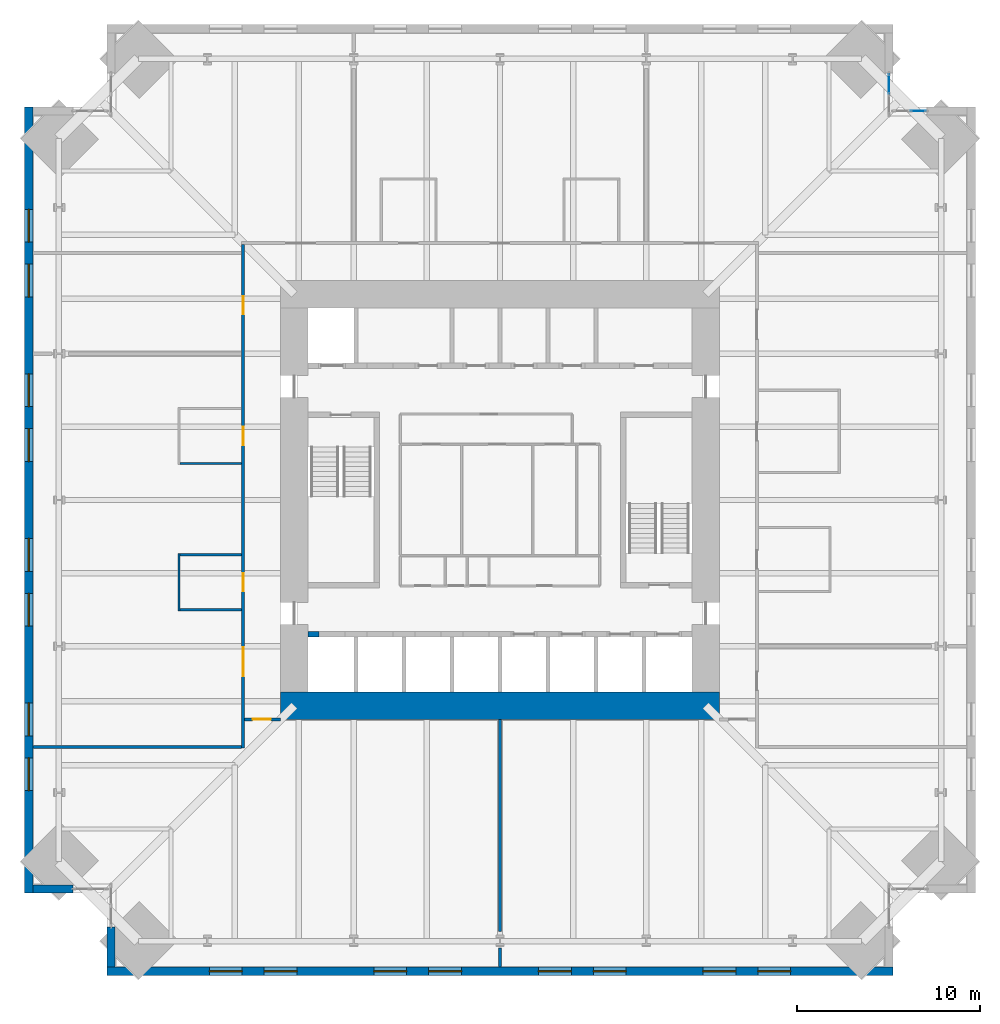
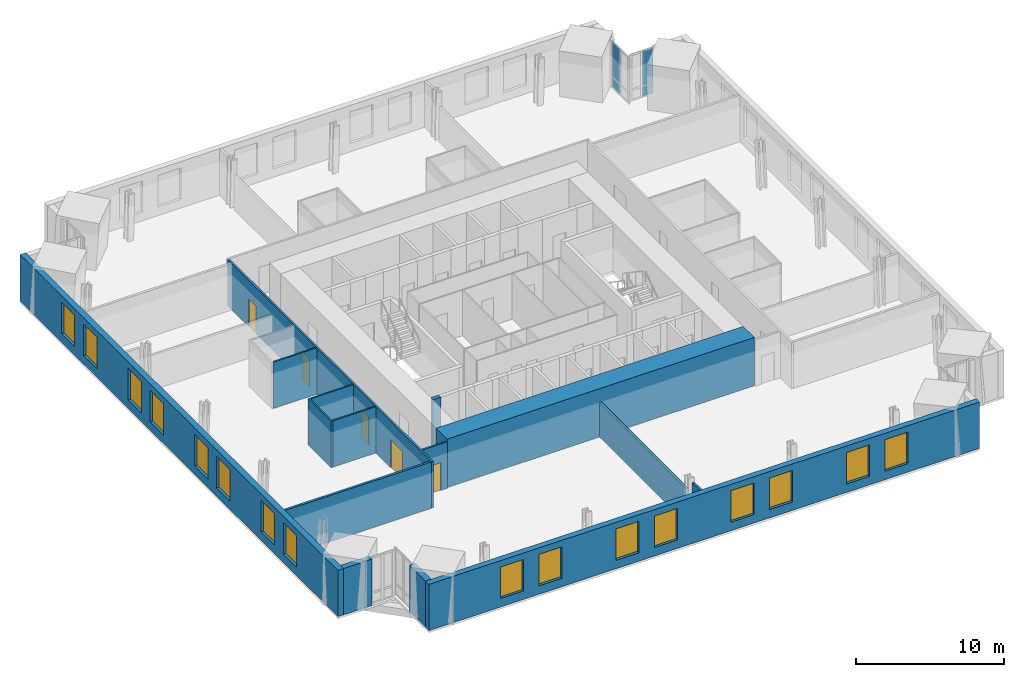
# One storey, part 13 of 18: 16 windows, 15 walls, 5 doors, 4 plates, 21 openings, 2 elements without a shape of their own.
"""IFC4 building model written with IfcOpenShell, lengths in metres."""

import ifcopenshell
import ifcopenshell.guid

model = None  # the IFC model being written
_history = None  # IfcOwnerHistory: only IFC2X3 demands one
_inside = {}  # id of a spatial element -> (the spatial element, [elements in it])
_under = {}  # id of a project, library or spatial element -> (it, [spatial elements below it])
_declared = {}  # id of a project -> (the project, [libraries it declares])
_typed = {}  # id of a type object -> (the type object, [elements of that type])
_made_of = {}  # id of a material, layer set ... -> (it, [elements and type objects made of it])


def new_model(schema):
    """Start an empty IFC model of exactly this schema.

    Asked for "IFC4X3", IfcOpenShell would pick the latest addendum, in which some entities
    have other attributes; the version numbers below select the first issue.
    IFC2X3 requires an IfcOwnerHistory on every rooted entity: one is made here for all.
    """
    global model, _history
    if schema == "IFC4X3":
        model = ifcopenshell.file(schema_version=(4, 3, 0, 0))
    else:
        model = ifcopenshell.file(schema=schema)
    _inside.clear()
    _under.clear()
    _declared.clear()
    _typed.clear()
    _made_of.clear()
    _history = None
    if model.schema == "IFC2X3":
        org = make("IfcOrganization", Name="unknown")
        user = make(
            "IfcPersonAndOrganization",
            ThePerson=make("IfcPerson", FamilyName="unknown"),
            TheOrganization=org,
        )
        app = make(
            "IfcApplication",
            ApplicationDeveloper=org,
            Version="unknown",
            ApplicationFullName="unknown",
            ApplicationIdentifier="unknown",
        )
        _history = make(
            "IfcOwnerHistory",
            OwningUser=user,
            OwningApplication=app,
            ChangeAction="ADDED",
            CreationDate=0,
        )
    return model


def make(cls, **values):
    """One entity of the class cls with the attributes given. An attribute that is None is left unset."""
    return model.create_entity(
        cls, **{name: value for name, value in values.items() if value is not None}
    )


def rooted(cls, **values):
    """An entity with a GlobalId (a new one), such as an element, a storey or a relation."""
    return make(cls, GlobalId=ifcopenshell.guid.new(), OwnerHistory=_history, **values)


def si_unit(unit_type, name, prefix=None):
    """IfcSIUnit, for example si_unit("LENGTHUNIT", "METRE", prefix="MILLI")."""
    return make("IfcSIUnit", UnitType=unit_type, Prefix=prefix, Name=name)


def assignment(units):
    """IfcUnitAssignment: the units of a project."""
    return None if units is None else make("IfcUnitAssignment", Units=units)


def point(xyz):
    """IfcCartesianPoint."""
    return None if xyz is None else make("IfcCartesianPoint", Coordinates=xyz)


def direction(xyz):
    """IfcDirection."""
    return None if xyz is None else make("IfcDirection", DirectionRatios=xyz)


def frame(location, z_axis=None, x_axis=None):
    """IfcAxis2Placement3D, a coordinate frame: its origin and axes. An axis left out is left unset."""
    return make(
        "IfcAxis2Placement3D",
        Location=point(location),
        Axis=direction(z_axis),
        RefDirection=direction(x_axis),
    )


def frame_2d(location, x_axis=None):
    """IfcAxis2Placement2D, a coordinate frame in the plane: its origin and x axis."""
    return make(
        "IfcAxis2Placement2D", Location=point(location), RefDirection=direction(x_axis)
    )


def origin():
    """The frame at (0, 0, 0) with its axes left unset."""
    return frame((0.0, 0.0, 0.0))


def origin_2d():
    """The frame at (0, 0) in the plane with its x axis left unset."""
    return frame_2d((0.0, 0.0))


def place(relative_to, where):
    """IfcLocalPlacement: puts the frame where relative to a parent placement (None: the world)."""
    return make(
        "IfcLocalPlacement", PlacementRelTo=relative_to, RelativePlacement=where
    )


def context(
    kind, dimensions, precision=None, world=None, true_north=None, identifier=None
):
    """IfcGeometricRepresentationContext, for example the 3D "Model" context."""
    return make(
        "IfcGeometricRepresentationContext",
        ContextIdentifier=identifier,
        ContextType=kind,
        CoordinateSpaceDimension=dimensions,
        Precision=precision,
        WorldCoordinateSystem=world,
        TrueNorth=true_north,
    )


def subcontext(parent, identifier, kind, view, scale=None):
    """IfcGeometricRepresentationSubContext, for example "Body" below "Model"."""
    return make(
        "IfcGeometricRepresentationSubContext",
        ContextIdentifier=identifier,
        ContextType=kind,
        ParentContext=parent,
        TargetScale=scale,
        TargetView=view,
    )


def project(units=None, contexts=None):
    """IfcProject with its units and contexts."""
    return rooted(
        "IfcProject",
        Name="project",
        RepresentationContexts=contexts,
        UnitsInContext=assignment(units),
    )


def spatial(cls, under=None, at=None, **own):
    """A site, building, storey or space (cls), placed at a placement, below another one or the project."""
    s = rooted(cls, ObjectPlacement=at, **own)
    if under is not None:
        _under.setdefault(under.id(), (under, []))[1].append(s)
    return s


def profile(cls, at=None, kind="AREA", **sizes):
    """A parametric profile (cls). Its sizes go by their IFC names, for example OverallWidth=200.0."""
    return make(cls, ProfileType=kind, Position=at, **sizes)


def rectangle(**sizes):
    """IfcRectangleProfileDef."""
    return profile("IfcRectangleProfileDef", **sizes)


def extrude(swept, where, along, depth):
    """IfcExtrudedAreaSolid: the profile swept, set in the frame where, extruded along a direction by depth."""
    return make(
        "IfcExtrudedAreaSolid",
        SweptArea=swept,
        Position=where,
        ExtrudedDirection=direction(along),
        Depth=depth,
    )


def shape(context_of_items, identifier, shape_type, items):
    """IfcShapeRepresentation: the items that make up one representation, for example the "Body"."""
    return make(
        "IfcShapeRepresentation",
        ContextOfItems=context_of_items,
        RepresentationIdentifier=identifier,
        RepresentationType=shape_type,
        Items=items,
    )


def material(Name=None, Category=None):
    """IfcMaterial."""
    return make("IfcMaterial", Name=Name, Category=Category)


def layer(
    of_material, thickness, ventilated=None, Name=None, Category=None, Priority=None
):
    """IfcMaterialLayer: one layer of a wall or slab, of a material (None: an air gap)."""
    return make(
        "IfcMaterialLayer",
        Material=of_material,
        LayerThickness=thickness,
        IsVentilated=ventilated,
        Name=Name,
        Category=Category,
        Priority=Priority,
    )


def layer_set(layers, Name=None):
    """IfcMaterialLayerSet."""
    return make("IfcMaterialLayerSet", MaterialLayers=layers, LayerSetName=Name)


def made_of(thing, what):
    """Note that an element or type object is made of a material, layer set ...; save() writes the relation."""
    if what is not None:
        _made_of.setdefault(what.id(), (what, []))[1].append(thing)
    return thing


def type_object(cls, material=None, **own):
    """A type object (cls), such as IfcWallType, which elements share."""
    return made_of(rooted(cls, **own), material)


def element(
    cls,
    number,
    at=None,
    inside=None,
    cuts=None,
    type_object=None,
    material=None,
    context=None,
    identifier="Body",
    shape_type=None,
    held_by="IfcProductDefinitionShape",
    body=None,
    shapes=None,
    **own,
):
    """One element of the class cls, such as IfcWall. Its Tag is "e" and its number.

    at: its placement. inside: the storey or other place that contains it. cuts: it is an
    opening in that element (IfcRelVoidsElement). A single representation is given by context,
    identifier, shape_type and body (its items); several are given by shapes. held_by: the class
    of the entity that holds the representations. save() writes the other relations.
    """
    e = rooted(cls, Tag="e%d" % number, ObjectPlacement=at, **own)
    if body is not None:
        shapes = [shape(context, identifier, shape_type, body)]
    if shapes is not None:
        e.Representation = make(held_by, Representations=shapes)
    if inside is not None:
        _inside.setdefault(inside.id(), (inside, []))[1].append(e)
    if cuts is not None:
        rooted(
            "IfcRelVoidsElement", RelatingBuildingElement=cuts, RelatedOpeningElement=e
        )
    if type_object is not None:
        _typed.setdefault(type_object.id(), (type_object, []))[1].append(e)
    return made_of(e, material)


def fill(opening, filler):
    """IfcRelFillsElement: the door or window that sits in an opening."""
    return rooted(
        "IfcRelFillsElement",
        RelatingOpeningElement=opening,
        RelatedBuildingElement=filler,
    )


def aggregate(whole, parts):
    """IfcRelAggregates: a whole, such as a stair, and the parts it consists of."""
    return rooted("IfcRelAggregates", RelatingObject=whole, RelatedObjects=parts)


def save(model, path):
    """Write the relations noted so far, then the file.

    IfcRelAggregates (storeys below a building ...), IfcRelContainedInSpatialStructure (elements
    in a storey), IfcRelDefinesByType, IfcRelAssociatesMaterial and IfcRelDeclares: one each for
    every whole, place, type object, material and project.
    """
    for whole, parts in _under.values():
        aggregate(whole, parts)
    for where, things in _inside.values():
        rooted(
            "IfcRelContainedInSpatialStructure",
            RelatedElements=things,
            RelatingStructure=where,
        )
    for kind, things in _typed.values():
        rooted("IfcRelDefinesByType", RelatedObjects=things, RelatingType=kind)
    for what, things in _made_of.values():
        rooted("IfcRelAssociatesMaterial", RelatedObjects=things, RelatingMaterial=what)
    for by, libraries in _declared.values():
        rooted("IfcRelDeclares", RelatingContext=by, RelatedDefinitions=libraries)
    model.write(path)


model = new_model("IFC4")

# Units and contexts
model_context = context("Model", 3, precision=1e-05, world=origin(), true_north=direction((0.0, 1.0)))
body_context = subcontext(model_context, "Body", "Model", "MODEL_VIEW")
ifc_project = project(units=[si_unit("LENGTHUNIT", "METRE"), si_unit("AREAUNIT", "SQUARE_METRE"), si_unit("VOLUMEUNIT", "CUBIC_METRE"), si_unit("PLANEANGLEUNIT", "RADIAN"), si_unit("MASSUNIT", "GRAM", prefix="KILO")], contexts=[model_context])

# Site, building, storey
site_placement = place(None, origin())
site = spatial("IfcSite", under=ifc_project, at=site_placement, CompositionType="ELEMENT")
building_placement = place(site_placement, origin())
building = spatial("IfcBuilding", under=site, at=building_placement, Name="Peilmerk Tower", CompositionType="ELEMENT")
storey_placement = place(building_placement, frame((0.0, 0.0, 167.800048828125)))
storey = spatial("IfcBuildingStorey", under=building, at=storey_placement, Name="L35", CompositionType="ELEMENT", Elevation=167.800048828125)

# Curtain wall, plates
ifc_material_1 = material(Name="Aluminium stick curtain wall", Category="aluminium")
curtain_wall_type = type_object("IfcCurtainWallType", Name="CW3 stick curtain wall, 2250 module", PredefinedType="NOTDEFINED", material=ifc_material_1)
curtain_wall_1_placement = place(storey_placement, origin())
curtain_wall_1 = element("IfcCurtainWall", 1, at=curtain_wall_1_placement, inside=storey, type_object=curtain_wall_type, Name="Curtain wall CW3 NEA L35", PredefinedType="NOTDEFINED")
ifc_material_2 = material(Name="Clear insulated glazing unit", Category="glass")
ifc_layer_1 = layer(ifc_material_2, 0.028076171875)
ifc_layer_set_1 = layer_set([ifc_layer_1], Name="Clear insulated glazing unit")
plate_type = type_object("IfcPlateType", Name="CW3-P 28 glazed panel", PredefinedType="CURTAIN_PANEL", material=ifc_layer_set_1)
plate_1_placement = place(storey_placement, frame((21.27490234375, 22.750244140625, 0.06494140625), z_axis=(0.0, 0.0, 1.0), x_axis=(0.0, 1.0, 0.0)))
plate_1 = element("IfcPlate", 2, at=plate_1_placement, type_object=plate_type, Name="CW3 panel 2.1", PredefinedType="CURTAIN_PANEL", context=body_context, shape_type="SweptSolid", body=[
    extrude(rectangle(XDim=1.046875, YDim=0.028076171875, at=origin_2d()), origin(), (0.0, 0.0, 1.0), 0.802490234375),
])
plate_2_placement = place(storey_placement, frame((21.27490234375, 22.750244140625, 0.932373046875), z_axis=(0.0, 0.0, 1.0), x_axis=(0.0, 1.0, 0.0)))
plate_2 = element("IfcPlate", 3, at=plate_2_placement, type_object=plate_type, Name="CW3 panel 2.2", PredefinedType="CURTAIN_PANEL", context=body_context, shape_type="SweptSolid", body=[
    extrude(rectangle(XDim=1.046875, YDim=0.028076171875, at=origin_2d()), origin(), (0.0, 0.0, 1.0), 2.83251953125),
])
aggregate(curtain_wall_1, [plate_1, plate_2])

curtain_wall_2_placement = place(storey_placement, origin())
curtain_wall_2 = element("IfcCurtainWall", 4, at=curtain_wall_2_placement, inside=storey, type_object=curtain_wall_type, Name="Curtain wall CW3 NEB L35", PredefinedType="NOTDEFINED")
plate_3_placement = place(storey_placement, frame((22.86279296875, 21.27490234375, 0.06494140625), z_axis=(0.0, 0.0, 1.0), x_axis=(1.0, 0.0, 0.0)))
plate_3 = element("IfcPlate", 5, at=plate_3_placement, type_object=plate_type, Name="CW3 panel 2.1", PredefinedType="CURTAIN_PANEL", context=body_context, shape_type="SweptSolid", body=[
    extrude(rectangle(XDim=0.82177734375, YDim=0.028076171875, at=origin_2d()), origin(), (0.0, 0.0, 1.0), 0.802490234375),
])
plate_4_placement = place(storey_placement, frame((22.86279296875, 21.27490234375, 0.932373046875), z_axis=(0.0, 0.0, 1.0), x_axis=(1.0, 0.0, 0.0)))
plate_4 = element("IfcPlate", 6, at=plate_4_placement, type_object=plate_type, Name="CW3 panel 2.2", PredefinedType="CURTAIN_PANEL", context=body_context, shape_type="SweptSolid", body=[
    extrude(rectangle(XDim=0.82177734375, YDim=0.028076171875, at=origin_2d()), origin(), (0.0, 0.0, 1.0), 2.83251953125),
])
aggregate(curtain_wall_2, [plate_3, plate_4])

# Wall, openings, windows
ifc_material_3 = material(Name="Precast concrete C45/55, board-marked finish", Category="concrete")
ifc_layer_2 = layer(ifc_material_3, 0.449951171875)
ifc_layer_set_2 = layer_set([ifc_layer_2], Name="Precast concrete C45/55, board-marked finish")
wall_type_1 = type_object("IfcWallType", Name="EW1 450 precast concrete facade wall, board-marked", PredefinedType="SOLIDWALL", material=ifc_layer_set_2)
wall_1_placement = place(storey_placement, frame((-21.5, -25.77490234375, 0.0), z_axis=(0.0, 0.0, 1.0), x_axis=(1.0, 0.0, 0.0)))
wall_1 = element("IfcWall", 7, at=wall_1_placement, inside=storey, type_object=wall_type_1, Name="Facade wall S L35", PredefinedType="SOLIDWALL", context=body_context, shape_type="SweptSolid", body=[
    extrude(rectangle(XDim=43.0, YDim=0.449951171875, at=frame_2d((21.5, 0.0))), origin(), (0.0, 0.0, 1.0), 3.829833984375),
])
opening_1_placement = place(wall_1_placement, frame((5.60009765625, 0.0, 0.699951171875)))
opening_1 = element("IfcOpeningElement", 8, at=opening_1_placement, cuts=wall_1, Name="Opening W1", PredefinedType="OPENING", context=body_context, shape_type="SweptSolid", body=[
    extrude(rectangle(XDim=1.800048828125, YDim=2.60009765625, at=frame_2d((0.89990234375, 1.300048828125))), frame((0.0, 0.23486328125, 0.0), z_axis=(0.0, -1.0, 0.0), x_axis=(1.0, 0.0, 0.0)), (0.0, 0.0, 1.0), 0.469970703125),
])
opening_2_placement = place(wall_1_placement, frame((8.60009765625, 0.0, 0.699951171875)))
opening_2 = element("IfcOpeningElement", 9, at=opening_2_placement, cuts=wall_1, Name="Opening W1", PredefinedType="OPENING", context=body_context, shape_type="SweptSolid", body=[
    extrude(rectangle(XDim=1.800048828125, YDim=2.60009765625, at=frame_2d((0.89990234375, 1.300048828125))), frame((0.0, 0.23486328125, 0.0), z_axis=(0.0, -1.0, 0.0), x_axis=(1.0, 0.0, 0.0)), (0.0, 0.0, 1.0), 0.469970703125),
])
opening_3_placement = place(wall_1_placement, frame((14.60009765625, 0.0, 0.699951171875)))
opening_3 = element("IfcOpeningElement", 10, at=opening_3_placement, cuts=wall_1, Name="Opening W1", PredefinedType="OPENING", context=body_context, shape_type="SweptSolid", body=[
    extrude(rectangle(XDim=1.800048828125, YDim=2.60009765625, at=frame_2d((0.89990234375, 1.300048828125))), frame((0.0, 0.23486328125, 0.0), z_axis=(0.0, -1.0, 0.0), x_axis=(1.0, 0.0, 0.0)), (0.0, 0.0, 1.0), 0.469970703125),
])
opening_4_placement = place(wall_1_placement, frame((17.60009765625, 0.0, 0.699951171875)))
opening_4 = element("IfcOpeningElement", 11, at=opening_4_placement, cuts=wall_1, Name="Opening W1", PredefinedType="OPENING", context=body_context, shape_type="SweptSolid", body=[
    extrude(rectangle(XDim=1.800048828125, YDim=2.60009765625, at=frame_2d((0.89990234375, 1.300048828125))), frame((0.0, 0.23486328125, 0.0), z_axis=(0.0, -1.0, 0.0), x_axis=(1.0, 0.0, 0.0)), (0.0, 0.0, 1.0), 0.469970703125),
])
opening_5_placement = place(wall_1_placement, frame((23.60009765625, 0.0, 0.699951171875)))
opening_5 = element("IfcOpeningElement", 12, at=opening_5_placement, cuts=wall_1, Name="Opening W1", PredefinedType="OPENING", context=body_context, shape_type="SweptSolid", body=[
    extrude(rectangle(XDim=1.800048828125, YDim=2.60009765625, at=frame_2d((0.89990234375, 1.300048828125))), frame((0.0, 0.23486328125, 0.0), z_axis=(0.0, -1.0, 0.0), x_axis=(1.0, 0.0, 0.0)), (0.0, 0.0, 1.0), 0.469970703125),
])
opening_6_placement = place(wall_1_placement, frame((26.60009765625, 0.0, 0.699951171875)))
opening_6 = element("IfcOpeningElement", 13, at=opening_6_placement, cuts=wall_1, Name="Opening W1", PredefinedType="OPENING", context=body_context, shape_type="SweptSolid", body=[
    extrude(rectangle(XDim=1.800048828125, YDim=2.60009765625, at=frame_2d((0.89990234375, 1.300048828125))), frame((0.0, 0.23486328125, 0.0), z_axis=(0.0, -1.0, 0.0), x_axis=(1.0, 0.0, 0.0)), (0.0, 0.0, 1.0), 0.469970703125),
])
opening_7_placement = place(wall_1_placement, frame((32.60009765625, 0.0, 0.699951171875)))
opening_7 = element("IfcOpeningElement", 14, at=opening_7_placement, cuts=wall_1, Name="Opening W1", PredefinedType="OPENING", context=body_context, shape_type="SweptSolid", body=[
    extrude(rectangle(XDim=1.800048828125, YDim=2.60009765625, at=frame_2d((0.89990234375, 1.300048828125))), frame((0.0, 0.23486328125, 0.0), z_axis=(0.0, -1.0, 0.0), x_axis=(1.0, 0.0, 0.0)), (0.0, 0.0, 1.0), 0.469970703125),
])
opening_8_placement = place(wall_1_placement, frame((35.60009765625, 0.0, 0.699951171875)))
opening_8 = element("IfcOpeningElement", 15, at=opening_8_placement, cuts=wall_1, Name="Opening W1", PredefinedType="OPENING", context=body_context, shape_type="SweptSolid", body=[
    extrude(rectangle(XDim=1.800048828125, YDim=2.60009765625, at=frame_2d((0.89990234375, 1.300048828125))), frame((0.0, 0.23486328125, 0.0), z_axis=(0.0, -1.0, 0.0), x_axis=(1.0, 0.0, 0.0)), (0.0, 0.0, 1.0), 0.469970703125),
])
ifc_material_4 = material(Name="Aluminium frame, clear double glazing", Category="aluminium")
window_type = type_object("IfcWindowType", Name="W1 1800x2600 office window", PartitioningType="SINGLE_PANEL", PredefinedType="WINDOW", material=ifc_material_4)
window_1_placement = place(opening_1_placement, origin())
window_1 = element("IfcWindow", 16, at=window_1_placement, inside=storey, type_object=window_type, Name="Window W1 L35", OverallHeight=2.60009765625, OverallWidth=1.800048828125, PartitioningType="SINGLE_PANEL", PredefinedType="WINDOW", context=body_context, shape_type="SweptSolid", body=[
    extrude(rectangle(XDim=1.800048828125, YDim=2.60009765625, at=frame_2d((0.89990234375, 1.300048828125))), frame((0.0, 0.030029296875, 0.0), z_axis=(0.0, -1.0, 0.0), x_axis=(1.0, 0.0, 0.0)), (0.0, 0.0, 1.0), 0.06005859375),
])
fill(opening_1, window_1)
window_2_placement = place(opening_2_placement, origin())
window_2 = element("IfcWindow", 17, at=window_2_placement, inside=storey, type_object=window_type, Name="Window W1 L35", OverallHeight=2.60009765625, OverallWidth=1.800048828125, PartitioningType="SINGLE_PANEL", PredefinedType="WINDOW", context=body_context, shape_type="SweptSolid", body=[
    extrude(rectangle(XDim=1.800048828125, YDim=2.60009765625, at=frame_2d((0.89990234375, 1.300048828125))), frame((0.0, 0.030029296875, 0.0), z_axis=(0.0, -1.0, 0.0), x_axis=(1.0, 0.0, 0.0)), (0.0, 0.0, 1.0), 0.06005859375),
])
fill(opening_2, window_2)
window_3_placement = place(opening_3_placement, origin())
window_3 = element("IfcWindow", 18, at=window_3_placement, inside=storey, type_object=window_type, Name="Window W1 L35", OverallHeight=2.60009765625, OverallWidth=1.800048828125, PartitioningType="SINGLE_PANEL", PredefinedType="WINDOW", context=body_context, shape_type="SweptSolid", body=[
    extrude(rectangle(XDim=1.800048828125, YDim=2.60009765625, at=frame_2d((0.89990234375, 1.300048828125))), frame((0.0, 0.030029296875, 0.0), z_axis=(0.0, -1.0, 0.0), x_axis=(1.0, 0.0, 0.0)), (0.0, 0.0, 1.0), 0.06005859375),
])
fill(opening_3, window_3)
window_4_placement = place(opening_4_placement, origin())
window_4 = element("IfcWindow", 19, at=window_4_placement, inside=storey, type_object=window_type, Name="Window W1 L35", OverallHeight=2.60009765625, OverallWidth=1.800048828125, PartitioningType="SINGLE_PANEL", PredefinedType="WINDOW", context=body_context, shape_type="SweptSolid", body=[
    extrude(rectangle(XDim=1.800048828125, YDim=2.60009765625, at=frame_2d((0.89990234375, 1.300048828125))), frame((0.0, 0.030029296875, 0.0), z_axis=(0.0, -1.0, 0.0), x_axis=(1.0, 0.0, 0.0)), (0.0, 0.0, 1.0), 0.06005859375),
])
fill(opening_4, window_4)
window_5_placement = place(opening_5_placement, origin())
window_5 = element("IfcWindow", 20, at=window_5_placement, inside=storey, type_object=window_type, Name="Window W1 L35", OverallHeight=2.60009765625, OverallWidth=1.800048828125, PartitioningType="SINGLE_PANEL", PredefinedType="WINDOW", context=body_context, shape_type="SweptSolid", body=[
    extrude(rectangle(XDim=1.800048828125, YDim=2.60009765625, at=frame_2d((0.89990234375, 1.300048828125))), frame((0.0, 0.030029296875, 0.0), z_axis=(0.0, -1.0, 0.0), x_axis=(1.0, 0.0, 0.0)), (0.0, 0.0, 1.0), 0.06005859375),
])
fill(opening_5, window_5)
window_6_placement = place(opening_6_placement, origin())
window_6 = element("IfcWindow", 21, at=window_6_placement, inside=storey, type_object=window_type, Name="Window W1 L35", OverallHeight=2.60009765625, OverallWidth=1.800048828125, PartitioningType="SINGLE_PANEL", PredefinedType="WINDOW", context=body_context, shape_type="SweptSolid", body=[
    extrude(rectangle(XDim=1.800048828125, YDim=2.60009765625, at=frame_2d((0.89990234375, 1.300048828125))), frame((0.0, 0.030029296875, 0.0), z_axis=(0.0, -1.0, 0.0), x_axis=(1.0, 0.0, 0.0)), (0.0, 0.0, 1.0), 0.06005859375),
])
fill(opening_6, window_6)
window_7_placement = place(opening_7_placement, origin())
window_7 = element("IfcWindow", 22, at=window_7_placement, inside=storey, type_object=window_type, Name="Window W1 L35", OverallHeight=2.60009765625, OverallWidth=1.800048828125, PartitioningType="SINGLE_PANEL", PredefinedType="WINDOW", context=body_context, shape_type="SweptSolid", body=[
    extrude(rectangle(XDim=1.800048828125, YDim=2.60009765625, at=frame_2d((0.89990234375, 1.300048828125))), frame((0.0, 0.030029296875, 0.0), z_axis=(0.0, -1.0, 0.0), x_axis=(1.0, 0.0, 0.0)), (0.0, 0.0, 1.0), 0.06005859375),
])
fill(opening_7, window_7)
window_8_placement = place(opening_8_placement, origin())
window_8 = element("IfcWindow", 23, at=window_8_placement, inside=storey, type_object=window_type, Name="Window W1 L35", OverallHeight=2.60009765625, OverallWidth=1.800048828125, PartitioningType="SINGLE_PANEL", PredefinedType="WINDOW", context=body_context, shape_type="SweptSolid", body=[
    extrude(rectangle(XDim=1.800048828125, YDim=2.60009765625, at=frame_2d((0.89990234375, 1.300048828125))), frame((0.0, 0.030029296875, 0.0), z_axis=(0.0, -1.0, 0.0), x_axis=(1.0, 0.0, 0.0)), (0.0, 0.0, 1.0), 0.06005859375),
])
fill(opening_8, window_8)

wall_2_placement = place(storey_placement, frame((-25.77490234375, 21.5, 0.0), z_axis=(0.0, 0.0, 1.0), x_axis=(0.0, -1.0, 0.0)))
wall_2 = element("IfcWall", 24, at=wall_2_placement, inside=storey, type_object=wall_type_1, Name="Facade wall W L35", PredefinedType="SOLIDWALL", context=body_context, shape_type="SweptSolid", body=[
    extrude(rectangle(XDim=43.0, YDim=0.449951171875, at=frame_2d((21.5, 0.0))), origin(), (0.0, 0.0, 1.0), 3.829833984375),
])
opening_9_placement = place(wall_2_placement, frame((5.60009765625, 0.0, 0.699951171875)))
opening_9 = element("IfcOpeningElement", 25, at=opening_9_placement, cuts=wall_2, Name="Opening W1", PredefinedType="OPENING", context=body_context, shape_type="SweptSolid", body=[
    extrude(rectangle(XDim=1.800048828125, YDim=2.60009765625, at=frame_2d((0.89990234375, 1.300048828125))), frame((0.0, 0.23486328125, 0.0), z_axis=(0.0, -1.0, 0.0), x_axis=(1.0, 0.0, 0.0)), (0.0, 0.0, 1.0), 0.469970703125),
])
opening_10_placement = place(wall_2_placement, frame((8.60009765625, 0.0, 0.699951171875)))
opening_10 = element("IfcOpeningElement", 26, at=opening_10_placement, cuts=wall_2, Name="Opening W1", PredefinedType="OPENING", context=body_context, shape_type="SweptSolid", body=[
    extrude(rectangle(XDim=1.800048828125, YDim=2.60009765625, at=frame_2d((0.89990234375, 1.300048828125))), frame((0.0, 0.23486328125, 0.0), z_axis=(0.0, -1.0, 0.0), x_axis=(1.0, 0.0, 0.0)), (0.0, 0.0, 1.0), 0.469970703125),
])
opening_11_placement = place(wall_2_placement, frame((14.60009765625, 0.0, 0.699951171875)))
opening_11 = element("IfcOpeningElement", 27, at=opening_11_placement, cuts=wall_2, Name="Opening W1", PredefinedType="OPENING", context=body_context, shape_type="SweptSolid", body=[
    extrude(rectangle(XDim=1.800048828125, YDim=2.60009765625, at=frame_2d((0.89990234375, 1.300048828125))), frame((0.0, 0.23486328125, 0.0), z_axis=(0.0, -1.0, 0.0), x_axis=(1.0, 0.0, 0.0)), (0.0, 0.0, 1.0), 0.469970703125),
])
opening_12_placement = place(wall_2_placement, frame((17.60009765625, 0.0, 0.699951171875)))
opening_12 = element("IfcOpeningElement", 28, at=opening_12_placement, cuts=wall_2, Name="Opening W1", PredefinedType="OPENING", context=body_context, shape_type="SweptSolid", body=[
    extrude(rectangle(XDim=1.800048828125, YDim=2.60009765625, at=frame_2d((0.89990234375, 1.300048828125))), frame((0.0, 0.23486328125, 0.0), z_axis=(0.0, -1.0, 0.0), x_axis=(1.0, 0.0, 0.0)), (0.0, 0.0, 1.0), 0.469970703125),
])
opening_13_placement = place(wall_2_placement, frame((23.60009765625, 0.0, 0.699951171875)))
opening_13 = element("IfcOpeningElement", 29, at=opening_13_placement, cuts=wall_2, Name="Opening W1", PredefinedType="OPENING", context=body_context, shape_type="SweptSolid", body=[
    extrude(rectangle(XDim=1.800048828125, YDim=2.60009765625, at=frame_2d((0.89990234375, 1.300048828125))), frame((0.0, 0.23486328125, 0.0), z_axis=(0.0, -1.0, 0.0), x_axis=(1.0, 0.0, 0.0)), (0.0, 0.0, 1.0), 0.469970703125),
])
opening_14_placement = place(wall_2_placement, frame((26.60009765625, 0.0, 0.699951171875)))
opening_14 = element("IfcOpeningElement", 30, at=opening_14_placement, cuts=wall_2, Name="Opening W1", PredefinedType="OPENING", context=body_context, shape_type="SweptSolid", body=[
    extrude(rectangle(XDim=1.800048828125, YDim=2.60009765625, at=frame_2d((0.89990234375, 1.300048828125))), frame((0.0, 0.23486328125, 0.0), z_axis=(0.0, -1.0, 0.0), x_axis=(1.0, 0.0, 0.0)), (0.0, 0.0, 1.0), 0.469970703125),
])
opening_15_placement = place(wall_2_placement, frame((32.60009765625, 0.0, 0.699951171875)))
opening_15 = element("IfcOpeningElement", 31, at=opening_15_placement, cuts=wall_2, Name="Opening W1", PredefinedType="OPENING", context=body_context, shape_type="SweptSolid", body=[
    extrude(rectangle(XDim=1.800048828125, YDim=2.60009765625, at=frame_2d((0.89990234375, 1.300048828125))), frame((0.0, 0.23486328125, 0.0), z_axis=(0.0, -1.0, 0.0), x_axis=(1.0, 0.0, 0.0)), (0.0, 0.0, 1.0), 0.469970703125),
])
opening_16_placement = place(wall_2_placement, frame((35.60009765625, 0.0, 0.699951171875)))
opening_16 = element("IfcOpeningElement", 32, at=opening_16_placement, cuts=wall_2, Name="Opening W1", PredefinedType="OPENING", context=body_context, shape_type="SweptSolid", body=[
    extrude(rectangle(XDim=1.800048828125, YDim=2.60009765625, at=frame_2d((0.89990234375, 1.300048828125))), frame((0.0, 0.23486328125, 0.0), z_axis=(0.0, -1.0, 0.0), x_axis=(1.0, 0.0, 0.0)), (0.0, 0.0, 1.0), 0.469970703125),
])
window_9_placement = place(opening_9_placement, origin())
window_9 = element("IfcWindow", 33, at=window_9_placement, inside=storey, type_object=window_type, Name="Window W1 L35", OverallHeight=2.60009765625, OverallWidth=1.800048828125, PartitioningType="SINGLE_PANEL", PredefinedType="WINDOW", context=body_context, shape_type="SweptSolid", body=[
    extrude(rectangle(XDim=1.800048828125, YDim=2.60009765625, at=frame_2d((0.89990234375, 1.300048828125))), frame((0.0, 0.030029296875, 0.0), z_axis=(0.0, -1.0, 0.0), x_axis=(1.0, 0.0, 0.0)), (0.0, 0.0, 1.0), 0.06005859375),
])
fill(opening_9, window_9)
window_10_placement = place(opening_10_placement, origin())
window_10 = element("IfcWindow", 34, at=window_10_placement, inside=storey, type_object=window_type, Name="Window W1 L35", OverallHeight=2.60009765625, OverallWidth=1.800048828125, PartitioningType="SINGLE_PANEL", PredefinedType="WINDOW", context=body_context, shape_type="SweptSolid", body=[
    extrude(rectangle(XDim=1.800048828125, YDim=2.60009765625, at=frame_2d((0.89990234375, 1.300048828125))), frame((0.0, 0.030029296875, 0.0), z_axis=(0.0, -1.0, 0.0), x_axis=(1.0, 0.0, 0.0)), (0.0, 0.0, 1.0), 0.06005859375),
])
fill(opening_10, window_10)
window_11_placement = place(opening_11_placement, origin())
window_11 = element("IfcWindow", 35, at=window_11_placement, inside=storey, type_object=window_type, Name="Window W1 L35", OverallHeight=2.60009765625, OverallWidth=1.800048828125, PartitioningType="SINGLE_PANEL", PredefinedType="WINDOW", context=body_context, shape_type="SweptSolid", body=[
    extrude(rectangle(XDim=1.800048828125, YDim=2.60009765625, at=frame_2d((0.89990234375, 1.300048828125))), frame((0.0, 0.030029296875, 0.0), z_axis=(0.0, -1.0, 0.0), x_axis=(1.0, 0.0, 0.0)), (0.0, 0.0, 1.0), 0.06005859375),
])
fill(opening_11, window_11)
window_12_placement = place(opening_12_placement, origin())
window_12 = element("IfcWindow", 36, at=window_12_placement, inside=storey, type_object=window_type, Name="Window W1 L35", OverallHeight=2.60009765625, OverallWidth=1.800048828125, PartitioningType="SINGLE_PANEL", PredefinedType="WINDOW", context=body_context, shape_type="SweptSolid", body=[
    extrude(rectangle(XDim=1.800048828125, YDim=2.60009765625, at=frame_2d((0.89990234375, 1.300048828125))), frame((0.0, 0.030029296875, 0.0), z_axis=(0.0, -1.0, 0.0), x_axis=(1.0, 0.0, 0.0)), (0.0, 0.0, 1.0), 0.06005859375),
])
fill(opening_12, window_12)
window_13_placement = place(opening_13_placement, origin())
window_13 = element("IfcWindow", 37, at=window_13_placement, inside=storey, type_object=window_type, Name="Window W1 L35", OverallHeight=2.60009765625, OverallWidth=1.800048828125, PartitioningType="SINGLE_PANEL", PredefinedType="WINDOW", context=body_context, shape_type="SweptSolid", body=[
    extrude(rectangle(XDim=1.800048828125, YDim=2.60009765625, at=frame_2d((0.89990234375, 1.300048828125))), frame((0.0, 0.030029296875, 0.0), z_axis=(0.0, -1.0, 0.0), x_axis=(1.0, 0.0, 0.0)), (0.0, 0.0, 1.0), 0.06005859375),
])
fill(opening_13, window_13)
window_14_placement = place(opening_14_placement, origin())
window_14 = element("IfcWindow", 38, at=window_14_placement, inside=storey, type_object=window_type, Name="Window W1 L35", OverallHeight=2.60009765625, OverallWidth=1.800048828125, PartitioningType="SINGLE_PANEL", PredefinedType="WINDOW", context=body_context, shape_type="SweptSolid", body=[
    extrude(rectangle(XDim=1.800048828125, YDim=2.60009765625, at=frame_2d((0.89990234375, 1.300048828125))), frame((0.0, 0.030029296875, 0.0), z_axis=(0.0, -1.0, 0.0), x_axis=(1.0, 0.0, 0.0)), (0.0, 0.0, 1.0), 0.06005859375),
])
fill(opening_14, window_14)
window_15_placement = place(opening_15_placement, origin())
window_15 = element("IfcWindow", 39, at=window_15_placement, inside=storey, type_object=window_type, Name="Window W1 L35", OverallHeight=2.60009765625, OverallWidth=1.800048828125, PartitioningType="SINGLE_PANEL", PredefinedType="WINDOW", context=body_context, shape_type="SweptSolid", body=[
    extrude(rectangle(XDim=1.800048828125, YDim=2.60009765625, at=frame_2d((0.89990234375, 1.300048828125))), frame((0.0, 0.030029296875, 0.0), z_axis=(0.0, -1.0, 0.0), x_axis=(1.0, 0.0, 0.0)), (0.0, 0.0, 1.0), 0.06005859375),
])
fill(opening_15, window_15)
window_16_placement = place(opening_16_placement, origin())
window_16 = element("IfcWindow", 40, at=window_16_placement, inside=storey, type_object=window_type, Name="Window W1 L35", OverallHeight=2.60009765625, OverallWidth=1.800048828125, PartitioningType="SINGLE_PANEL", PredefinedType="WINDOW", context=body_context, shape_type="SweptSolid", body=[
    extrude(rectangle(XDim=1.800048828125, YDim=2.60009765625, at=frame_2d((0.89990234375, 1.300048828125))), frame((0.0, 0.030029296875, 0.0), z_axis=(0.0, -1.0, 0.0), x_axis=(1.0, 0.0, 0.0)), (0.0, 0.0, 1.0), 0.06005859375),
])
fill(opening_16, window_16)

# Walls
for number, where, z_axis, x_axis, name in (
    (41, (-21.27490234375, -23.353759765625, 0.0), (0.0, 0.0, 1.0), (0.0, -1.0, 0.0), "Facade wall SWA L35"),
    (42, (-23.353759765625, -21.27490234375, 0.0), (0.0, 0.0, 1.0), (-1.0, 0.0, 0.0), "Facade wall SWB L35"),
):
    element("IfcWall", number, at=place(storey_placement, frame(where, z_axis=z_axis, x_axis=x_axis)), inside=storey, type_object=wall_type_1, Name=name, PredefinedType="SOLIDWALL", context=body_context, shape_type="SweptSolid", body=[
        extrude(rectangle(XDim=2.1962890625, YDim=0.449951171875, at=frame_2d((1.09814453125, 0.0))), origin(), (0.0, 0.0, 1.0), 3.829833984375),
    ])

# Wall, openings, doors
ifc_material_5 = material(Name="Calcium silicate block", Category="masonry")
ifc_layer_3 = layer(ifc_material_5, 0.14990234375)
ifc_layer_set_3 = layer_set([ifc_layer_3], Name="Calcium silicate block")
wall_type_2 = type_object("IfcWallType", Name="IW1 150 corridor partition, EI 60", PredefinedType="PARTITIONING", material=ifc_layer_set_3)
wall_3_placement = place(storey_placement, frame((-14.050048828125, 13.97509765625, 0.0), z_axis=(0.0, 0.0, 1.0), x_axis=(0.0, -1.0, 0.0)))
wall_3 = element("IfcWall", 43, at=wall_3_placement, inside=storey, type_object=wall_type_2, Name="Corridor wall W L35", PredefinedType="PARTITIONING", context=body_context, shape_type="SweptSolid", body=[
    extrude(rectangle(XDim=27.550048828125, YDim=0.14990234375, at=frame_2d((13.77490234375, 0.0))), origin(), (0.0, 0.0, 1.0), 3.829833984375),
])
opening_17_placement = place(wall_3_placement, frame((22.02490234375, 0.0, 0.0)))
opening_17 = element("IfcOpeningElement", 44, at=opening_17_placement, cuts=wall_3, Name="Opening D9", PredefinedType="OPENING", context=body_context, shape_type="SweptSolid", body=[
    extrude(rectangle(XDim=1.60009765625, YDim=2.300048828125, at=frame_2d((0.800048828125, 1.14990234375))), frame((0.0, 0.0849609375, 0.0), z_axis=(0.0, -1.0, 0.0), x_axis=(1.0, 0.0, 0.0)), (0.0, 0.0, 1.0), 0.169921875),
])
opening_18_placement = place(wall_3_placement, frame((2.824951171875, 0.0, 0.0)))
opening_18 = element("IfcOpeningElement", 45, at=opening_18_placement, cuts=wall_3, Name="Opening D1", PredefinedType="OPENING", context=body_context, shape_type="SweptSolid", body=[
    extrude(rectangle(XDim=1.0, YDim=2.300048828125, at=frame_2d((0.5, 1.14990234375))), frame((0.0, 0.0849609375, 0.0), z_axis=(0.0, -1.0, 0.0), x_axis=(1.0, 0.0, 0.0)), (0.0, 0.0, 1.0), 0.169921875),
])
opening_19_placement = place(wall_3_placement, frame((17.97509765625, 0.0, 0.0)))
opening_19 = element("IfcOpeningElement", 46, at=opening_19_placement, cuts=wall_3, Name="Opening D1", PredefinedType="OPENING", context=body_context, shape_type="SweptSolid", body=[
    extrude(rectangle(XDim=1.0, YDim=2.300048828125, at=frame_2d((0.5, 1.14990234375))), frame((0.0, 0.0849609375, 0.0), z_axis=(0.0, -1.0, 0.0), x_axis=(1.0, 0.0, 0.0)), (0.0, 0.0, 1.0), 0.169921875),
])
opening_20_placement = place(wall_3_placement, frame((9.97509765625, 0.0, 0.0)))
opening_20 = element("IfcOpeningElement", 47, at=opening_20_placement, cuts=wall_3, Name="Opening D1", PredefinedType="OPENING", context=body_context, shape_type="SweptSolid", body=[
    extrude(rectangle(XDim=1.0, YDim=2.300048828125, at=frame_2d((0.5, 1.14990234375))), frame((0.0, 0.0849609375, 0.0), z_axis=(0.0, -1.0, 0.0), x_axis=(1.0, 0.0, 0.0)), (0.0, 0.0, 1.0), 0.169921875),
])
ifc_material_6 = material(Name="Timber door in steel frame", Category="steel")
door_type_1 = type_object("IfcDoorType", Name="D1 1000x2300 room door, EI2 30", OperationType="SINGLE_SWING_LEFT", PredefinedType="DOOR", material=ifc_material_6)
door_1_placement = place(opening_18_placement, frame((1.0, 0.0, 0.0), z_axis=(0.0, 0.0, 1.0), x_axis=(-1.0, 0.0, 0.0)))
door_1 = element("IfcDoor", 48, at=door_1_placement, inside=storey, type_object=door_type_1, Name="Door Meeting room L35", OperationType="SINGLE_SWING_LEFT", OverallHeight=2.300048828125, OverallWidth=1.0, PredefinedType="DOOR", context=body_context, shape_type="SweptSolid", body=[
    extrude(rectangle(XDim=1.0, YDim=2.300048828125, at=frame_2d((0.5, 1.14990234375))), frame((0.0, 0.02490234375, 0.0), z_axis=(0.0, -1.0, 0.0), x_axis=(1.0, 0.0, 0.0)), (0.0, 0.0, 1.0), 0.050048828125),
])
fill(opening_18, door_1)
door_2_placement = place(opening_19_placement, frame((1.0, 0.0, 0.0), z_axis=(0.0, 0.0, 1.0), x_axis=(-1.0, 0.0, 0.0)))
door_2 = element("IfcDoor", 49, at=door_2_placement, inside=storey, type_object=door_type_1, Name="Door Focus room L35", OperationType="SINGLE_SWING_LEFT", OverallHeight=2.300048828125, OverallWidth=1.0, PredefinedType="DOOR", context=body_context, shape_type="SweptSolid", body=[
    extrude(rectangle(XDim=1.0, YDim=2.300048828125, at=frame_2d((0.5, 1.14990234375))), frame((0.0, 0.02490234375, 0.0), z_axis=(0.0, -1.0, 0.0), x_axis=(1.0, 0.0, 0.0)), (0.0, 0.0, 1.0), 0.050048828125),
])
fill(opening_19, door_2)
door_3_placement = place(opening_20_placement, frame((1.0, 0.0, 0.0), z_axis=(0.0, 0.0, 1.0), x_axis=(-1.0, 0.0, 0.0)))
door_3 = element("IfcDoor", 50, at=door_3_placement, inside=storey, type_object=door_type_1, Name="Door Focus room L35", OperationType="SINGLE_SWING_LEFT", OverallHeight=2.300048828125, OverallWidth=1.0, PredefinedType="DOOR", context=body_context, shape_type="SweptSolid", body=[
    extrude(rectangle(XDim=1.0, YDim=2.300048828125, at=frame_2d((0.5, 1.14990234375))), frame((0.0, 0.02490234375, 0.0), z_axis=(0.0, -1.0, 0.0), x_axis=(1.0, 0.0, 0.0)), (0.0, 0.0, 1.0), 0.050048828125),
])
fill(opening_20, door_3)
ifc_material_7 = material(Name="Glazed timber door in steel frame", Category="steel")
door_type_2 = type_object("IfcDoorType", Name="D9 1600x2300 glazed double door, EI2 30", OperationType="DOUBLE_DOOR_SINGLE_SWING", PredefinedType="DOOR", material=ifc_material_7)
door_4_placement = place(opening_17_placement, frame((1.60009765625, 0.0, 0.0), z_axis=(0.0, 0.0, 1.0), x_axis=(-1.0, 0.0, 0.0)))
door_4 = element("IfcDoor", 51, at=door_4_placement, inside=storey, type_object=door_type_2, Name="Door Open workspace L35", OperationType="DOUBLE_DOOR_SINGLE_SWING", OverallHeight=2.300048828125, OverallWidth=1.60009765625, PredefinedType="DOOR", context=body_context, shape_type="SweptSolid", body=[
    extrude(rectangle(XDim=1.60009765625, YDim=2.300048828125, at=frame_2d((0.800048828125, 1.14990234375))), frame((0.0, 0.02490234375, 0.0), z_axis=(0.0, -1.0, 0.0), x_axis=(1.0, 0.0, 0.0)), (0.0, 0.0, 1.0), 0.050048828125),
])
fill(opening_17, door_4)

# Wall, opening, door
wall_4_placement = place(storey_placement, frame((-12.0, -12.0, 0.0), z_axis=(0.0, 0.0, 1.0), x_axis=(-1.0, 0.0, 0.0)))
wall_4 = element("IfcWall", 52, at=wall_4_placement, inside=storey, type_object=wall_type_2, Name="Corridor wall SW L35", PredefinedType="PARTITIONING", context=body_context, shape_type="SweptSolid", body=[
    extrude(rectangle(XDim=1.97509765625, YDim=0.14990234375, at=frame_2d((0.987548828125, 0.0))), origin(), (0.0, 0.0, 1.0), 3.829833984375),
])
opening_21_placement = place(wall_4_placement, frame((0.52490234375, 0.0, 0.0)))
opening_21 = element("IfcOpeningElement", 53, at=opening_21_placement, cuts=wall_4, Name="Opening D1", PredefinedType="OPENING", context=body_context, shape_type="SweptSolid", body=[
    extrude(rectangle(XDim=1.0, YDim=2.300048828125, at=frame_2d((0.5, 1.14990234375))), frame((0.0, 0.0849609375, 0.0), z_axis=(0.0, -1.0, 0.0), x_axis=(1.0, 0.0, 0.0)), (0.0, 0.0, 1.0), 0.169921875),
])
door_5_placement = place(opening_21_placement, origin())
door_5 = element("IfcDoor", 54, at=door_5_placement, inside=storey, type_object=door_type_1, Name="Door Open workspace L35", OperationType="SINGLE_SWING_LEFT", OverallHeight=2.300048828125, OverallWidth=1.0, PredefinedType="DOOR", context=body_context, shape_type="SweptSolid", body=[
    extrude(rectangle(XDim=1.0, YDim=2.300048828125, at=frame_2d((0.5, 1.14990234375))), frame((0.0, 0.02490234375, 0.0), z_axis=(0.0, -1.0, 0.0), x_axis=(1.0, 0.0, 0.0)), (0.0, 0.0, 1.0), 0.050048828125),
])
fill(opening_21, door_5)

# Walls
ifc_material_8 = material(Name="Plasterboard on steel studs, double boarded with mineral wool", Category="steel")
ifc_layer_4 = layer(ifc_material_8, 0.125)
ifc_layer_set_4 = layer_set([ifc_layer_4], Name="Plasterboard on steel studs, double boarded with mineral wool")
wall_type_3 = type_object("IfcWallType", Name="IW7 125 acoustic partition, EI 30", PredefinedType="PARTITIONING", material=ifc_layer_set_4)
wall_5_placement = place(storey_placement, frame((-17.550048828125, -6.0625, 0.0), z_axis=(0.0, 0.0, 1.0), x_axis=(0.0, 1.0, 0.0)))
element("IfcWall", 55, at=wall_5_placement, inside=storey, type_object=wall_type_3, Name="Acoustic partition Focus room L35", PredefinedType="PARTITIONING", context=body_context, shape_type="SweptSolid", body=[
    extrude(rectangle(XDim=3.125, YDim=0.125, at=frame_2d((1.5625, 0.0))), origin(), (0.0, 0.0, 1.0), 3.829833984375),
])
for number, where, z_axis, x_axis, name in (
    (56, (-14.125, -6.0, 0.0), (0.0, 0.0, 1.0), (-1.0, 0.0, 0.0), "Acoustic partition Focus room L35"),
    (57, (-14.125, -3.0, 0.0), (0.0, 0.0, 1.0), (-1.0, 0.0, 0.0), "Acoustic partition Focus room L35"),
    (58, (-14.125, 2.0, 0.0), (0.0, 0.0, 1.0), (-1.0, 0.0, 0.0), "Acoustic partition Focus room L35"),
):
    element("IfcWall", number, at=place(storey_placement, frame(where, z_axis=z_axis, x_axis=x_axis)), inside=storey, type_object=wall_type_3, Name=name, PredefinedType="PARTITIONING", context=body_context, shape_type="SweptSolid", body=[
        extrude(rectangle(XDim=3.362548828125, YDim=0.125, at=frame_2d((1.68115234375, 0.0))), origin(), (0.0, 0.0, 1.0), 3.829833984375),
    ])
ifc_layer_5 = layer(ifc_material_5, 0.175048828125)
ifc_layer_set_5 = layer_set([ifc_layer_5], Name="Calcium silicate block")
wall_type_4 = type_object("IfcWallType", Name="IW8 175 tenant separating wall, EI 60", PredefinedType="PARTITIONING", material=ifc_layer_set_5)
wall_6_placement = place(storey_placement, frame((-14.125, -13.5, 0.0), z_axis=(0.0, 0.0, 1.0), x_axis=(-1.0, 0.0, 0.0)))
element("IfcWall", 59, at=wall_6_placement, inside=storey, type_object=wall_type_4, Name="Tenant separating wall SW L35", PredefinedType="PARTITIONING", context=body_context, shape_type="SweptSolid", body=[
    extrude(rectangle(XDim=11.425048828125, YDim=0.175048828125, at=frame_2d((5.71240234375, 0.0))), origin(), (0.0, 0.0, 1.0), 3.829833984375),
])
wall_7_placement = place(storey_placement, frame((0.0, -12.0, 0.0), z_axis=(0.0, 0.0, 1.0), x_axis=(0.0, -1.0, 0.0)))
element("IfcWall", 60, at=wall_7_placement, inside=storey, type_object=wall_type_4, Name="Tenant separating wall S1 L35", PredefinedType="PARTITIONING", context=body_context, shape_type="SweptSolid", body=[
    extrude(rectangle(XDim=11.60546875, YDim=0.175048828125, at=frame_2d((5.802734375, 0.0))), origin(), (0.0, 0.0, 1.0), 2.83984375),
])
wall_8_placement = place(storey_placement, frame((0.0, -24.49462890625, 0.0), z_axis=(0.0, 0.0, 1.0), x_axis=(0.0, -1.0, 0.0)))
element("IfcWall", 61, at=wall_8_placement, inside=storey, type_object=wall_type_4, Name="Tenant separating wall S1b L35", PredefinedType="PARTITIONING", context=body_context, shape_type="SweptSolid", body=[
    extrude(rectangle(XDim=1.055419921875, YDim=0.175048828125, at=frame_2d((0.52783203125, 0.0))), origin(), (0.0, 0.0, 1.0), 3.829833984375),
])
ifc_material_9 = material(Name="Concrete C55/67", Category="concrete")
ifc_layer_6 = layer(ifc_material_9, 1.5)
ifc_layer_set_6 = layer_set([ifc_layer_6], Name="Concrete C55/67")
wall_type_5 = type_object("IfcWallType", Name="SW1 1500 core wall", PredefinedType="SHEAR", material=ifc_layer_set_6)
wall_9_placement = place(storey_placement, frame((12.0, -11.25, 0.0), z_axis=(0.0, 0.0, 1.0), x_axis=(-1.0, 0.0, 0.0)))
element("IfcWall", 62, at=wall_9_placement, inside=storey, type_object=wall_type_5, Name="Core wall S L35", PredefinedType="SHEAR", context=body_context, shape_type="SweptSolid", body=[
    extrude(rectangle(XDim=24.0, YDim=1.5, at=frame_2d((12.0, 0.0))), origin(), (0.0, 0.0, 1.0), 4.0),
])
ifc_layer_7 = layer(ifc_material_9, 0.300048828125)
ifc_layer_set_7 = layer_set([ifc_layer_7], Name="Concrete C55/67")
wall_type_6 = type_object("IfcWallType", Name="SW2 300 lift bank pier", PredefinedType="SHEAR", material=ifc_layer_set_7)
wall_10_placement = place(storey_placement, frame((-10.5, -7.35009765625, 0.0), z_axis=(0.0, 0.0, 1.0), x_axis=(1.0, 0.0, 0.0)))
element("IfcWall", 63, at=wall_10_placement, inside=storey, type_object=wall_type_6, Name="Lift bank pier S L35", PredefinedType="SHEAR", context=body_context, shape_type="SweptSolid", body=[
    extrude(rectangle(XDim=0.612548828125, YDim=0.300048828125, at=frame_2d((0.30615234375, 0.0))), origin(), (0.0, 0.0, 1.0), 4.0),
])

save(model, "model.ifc")
